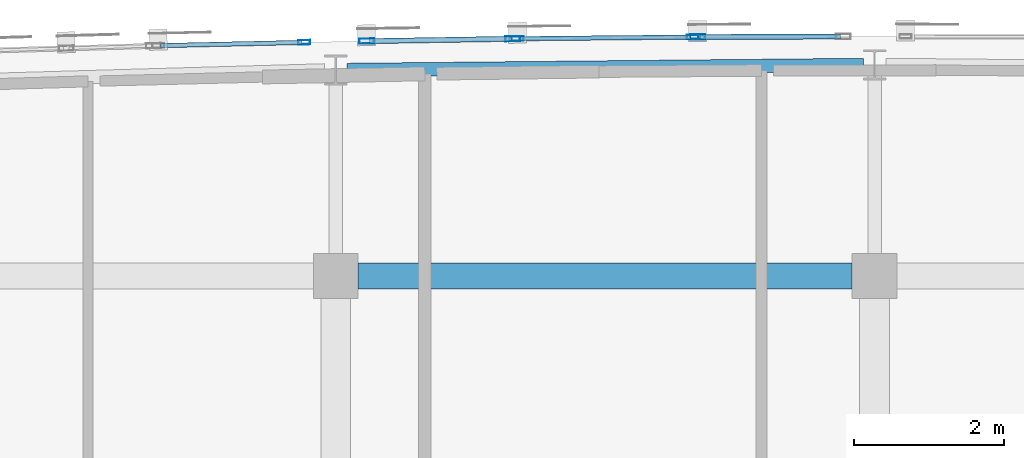
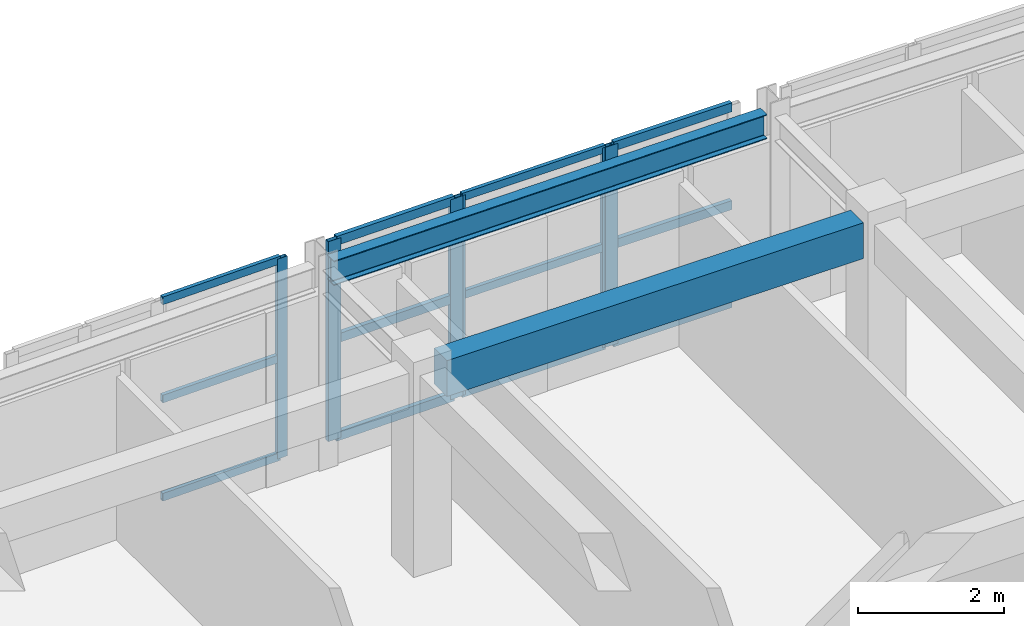
# One storey, part 17 of 50: 18 members, 2 beams, 4 elements without a shape of their own.
"""IFC4 building model written with IfcOpenShell, lengths in metres."""

from ifc_helpers import new_model, si_unit, direction, frame, origin, origin_2d, place, context, subcontext, project, spatial, rectangle, hollow_rectangle, i_section, extrude, material, layer, layer_set, material_profile, profile_set, type_object, element, aggregate, save


model = new_model("IFC4")

# Units and contexts
model_context = context("Model", 3, precision=1e-05, world=origin(), true_north=direction((0.0, 1.0)))
body_context = subcontext(model_context, "Body", "Model", "MODEL_VIEW")
ifc_project = project(units=[si_unit("LENGTHUNIT", "METRE"), si_unit("AREAUNIT", "SQUARE_METRE"), si_unit("VOLUMEUNIT", "CUBIC_METRE"), si_unit("PLANEANGLEUNIT", "RADIAN"), si_unit("MASSUNIT", "GRAM", prefix="KILO")], contexts=[model_context])

# Site, building, storey
site_placement = place(None, origin())
site = spatial("IfcSite", under=ifc_project, at=site_placement, CompositionType="ELEMENT")
building_placement = place(site_placement, origin())
building = spatial("IfcBuilding", under=site, at=building_placement, Name="Carrowvane Square Congress Hotel", CompositionType="ELEMENT")
storey_placement = place(building_placement, frame((0.0, 0.0, 22.800048828125)))
storey = spatial("IfcBuildingStorey", under=building, at=storey_placement, Name="L05", CompositionType="ELEMENT", Elevation=22.800048828125)

# Beams
ifc_material_1 = material(Name="Concrete C35/45", Category="concrete")
ifc_material_profile_1 = material_profile(ifc_material_1, rectangle(XDim=0.35009765625, YDim=0.60009765625, at=origin_2d()), Name="RC 350x600")
ifc_profile_set_1 = profile_set([ifc_material_profile_1], Name="Concrete C35/45")
beam_type_1 = type_object("IfcBeamType", Name="BM-RC-350x600", PredefinedType="BEAM", material=ifc_profile_set_1)
beam_1_placement = place(storey_placement, frame((91.10009765625, 113.39990234375, 3.050048828125), z_axis=(1.0, 0.0, 0.0), x_axis=(0.0, 1.0, 0.0)))
element("IfcBeam", 1, at=beam_1_placement, inside=storey, type_object=beam_type_1, Name="L06 girder R/12-13", PredefinedType="BEAM", context=body_context, shape_type="SweptSolid", body=[
    extrude(rectangle(XDim=0.35009765625, YDim=0.60009765625, at=origin_2d()), origin(), (0.0, 0.0, 1.0), 6.599853515625),
])
ifc_material_2 = material(Name="Steel S355", Category="steel")
ifc_material_profile_2 = material_profile(ifc_material_2, i_section(OverallWidth=0.1787109375, OverallDepth=0.409423828125, WebThickness=0.0087890625, FlangeThickness=0.014404296875, FilletRadius=0.01025390625, at=origin_2d()), Name="UKB 406x178x67")
ifc_profile_set_2 = profile_set([ifc_material_profile_2], Name="Steel S355")
beam_type_2 = type_object("IfcBeamType", Name="BM-ST-UKB406", PredefinedType="BEAM", material=ifc_profile_set_2)
beam_2_placement = place(storey_placement, frame((90.949951171875, 116.1513671875, 3.145263671875), z_axis=(0.999952666563, 0.00972957518, 0.0), x_axis=(-0.00972957518, 0.999952666563, 0.0)))
element("IfcBeam", 2, at=beam_2_placement, inside=storey, type_object=beam_type_2, Name="L06 curved north spandrel", PredefinedType="BEAM", context=body_context, shape_type="SweptSolid", body=[
    extrude(i_section(OverallWidth=0.1787109375, OverallDepth=0.409423828125, WebThickness=0.0087890625, FlangeThickness=0.014404296875, FilletRadius=0.01025390625, at=origin_2d()), origin(), (0.0, 0.0, 1.0), 6.900390625),
])

# Curtain wall, member
ifc_material_3 = material(Name="Anodised aluminium", Category="aluminium")
ifc_layer_1 = layer(ifc_material_3, 0.162109375)
ifc_layer_set_1 = layer_set([ifc_layer_1], Name="Anodised aluminium")
curtain_wall_type_1 = type_object("IfcCurtainWallType", Name="CW-SYS-1", PredefinedType="NOTDEFINED", material=ifc_layer_set_1)
curtain_wall_1_placement = place(storey_placement, origin())
curtain_wall_1 = element("IfcCurtainWall", 3, at=curtain_wall_1_placement, inside=storey, type_object=curtain_wall_type_1, Name="L05 unitised curtain wall 328", PredefinedType="NOTDEFINED")
ifc_material_4 = material(Name="Anodised aluminium", Category="aluminium")
ifc_material_profile_3 = material_profile(ifc_material_4, hollow_rectangle(XDim=0.06005859375, YDim=0.159912109375, WallThickness=0.00390625, at=origin_2d()), Name="CW-ML 60x160x4")
ifc_profile_set_3 = profile_set([ifc_material_profile_3], Name="Anodised aluminium")
member_type_1 = type_object("IfcMemberType", Name="CW-MUL-1", PredefinedType="MULLION", material=ifc_profile_set_3)
member_1_placement = place(storey_placement, frame((90.377685546875, 116.520263671875, 0.0), z_axis=(0.0, 0.0, 1.0), x_axis=(-0.022517686606, 0.99974644475, 0.0)))
member_1 = element("IfcMember", 4, at=member_1_placement, type_object=member_type_1, Name="CW-1 mullion 2", PredefinedType="MULLION", context=body_context, shape_type="SweptSolid", body=[
    extrude(hollow_rectangle(XDim=0.06005859375, YDim=0.159912109375, WallThickness=0.00390625, at=origin_2d()), origin(), (0.0, 0.0, 1.0), 3.349853515625),
])

# Curtain wall, members
ifc_material_5 = material(Name="Anodised aluminium", Category="aluminium")
ifc_layer_2 = layer(ifc_material_5, 0.18603515625)
ifc_layer_set_2 = layer_set([ifc_layer_2], Name="Anodised aluminium")
curtain_wall_type_2 = type_object("IfcCurtainWallType", Name="CW-SYS-3", PredefinedType="NOTDEFINED", material=ifc_layer_set_2)
curtain_wall_2_placement = place(storey_placement, origin())
curtain_wall_2 = element("IfcCurtainWall", 5, at=curtain_wall_2_placement, inside=storey, type_object=curtain_wall_type_2, Name="L05 unitised curtain wall 330", PredefinedType="NOTDEFINED")
member_2_placement = place(storey_placement, frame((93.22998046875, 116.56884765625, 0.0), z_axis=(0.0, 0.0, 1.0), x_axis=(-0.009782905924, 0.999952146231, 0.0)))
member_2 = element("IfcMember", 6, at=member_2_placement, type_object=member_type_1, Name="CW-3 mullion 1", PredefinedType="MULLION", context=body_context, shape_type="SweptSolid", body=[
    extrude(hollow_rectangle(XDim=0.06005859375, YDim=0.159912109375, WallThickness=0.00390625, at=origin_2d()), origin(), (0.0, 0.0, 1.0), 3.349853515625),
])
member_3_placement = place(storey_placement, frame((95.570068359375, 116.591796875, 0.0), z_axis=(0.0, 0.0, 1.0), x_axis=(-0.009782905924, 0.999952146231, 0.0)))
member_3 = element("IfcMember", 7, at=member_3_placement, type_object=member_type_1, Name="CW-3 mullion 2", PredefinedType="MULLION", context=body_context, shape_type="SweptSolid", body=[
    extrude(hollow_rectangle(XDim=0.06005859375, YDim=0.159912109375, WallThickness=0.00390625, at=origin_2d()), origin(), (0.0, 0.0, 1.0), 3.349853515625),
])

ifc_material_6 = material(Name="Anodised aluminium", Category="aluminium")
ifc_layer_3 = layer(ifc_material_6, 0.174072265625)
ifc_layer_set_3 = layer_set([ifc_layer_3], Name="Anodised aluminium")
curtain_wall_type_3 = type_object("IfcCurtainWallType", Name="CW-SYS-2", PredefinedType="NOTDEFINED", material=ifc_layer_set_3)
curtain_wall_3_placement = place(storey_placement, origin())
curtain_wall_3 = element("IfcCurtainWall", 8, at=curtain_wall_3_placement, inside=storey, type_object=curtain_wall_type_3, Name="L05 unitised curtain wall 329", PredefinedType="NOTDEFINED")
ifc_material_7 = material(Name="Anodised aluminium", Category="aluminium")
ifc_material_profile_4 = material_profile(ifc_material_7, hollow_rectangle(XDim=0.070068359375, YDim=0.199951171875, WallThickness=0.0048828125, at=origin_2d()), Name="CW-ML 70x200x5")
ifc_profile_set_4 = profile_set([ifc_material_profile_4], Name="Anodised aluminium")
member_type_2 = type_object("IfcMemberType", Name="CW-MUL-2", PredefinedType="MULLION", material=ifc_profile_set_4)
member_4_placement = place(storey_placement, frame((91.212646484375, 116.536376953125, 0.0), z_axis=(0.0, 0.0, 1.0), x_axis=(-0.016215981364, 0.99986851233, 0.0)))
member_4 = element("IfcMember", 9, at=member_4_placement, type_object=member_type_2, Name="CW-2 mullion 1", PredefinedType="MULLION", context=body_context, shape_type="SweptSolid", body=[
    extrude(hollow_rectangle(XDim=0.070068359375, YDim=0.199951171875, WallThickness=0.0048828125, at=origin_2d()), origin(), (0.0, 0.0, 1.0), 3.349853515625),
])
member_5_placement = place(storey_placement, frame((93.1650390625, 116.568115234375, 0.0), z_axis=(0.0, 0.0, 1.0), x_axis=(-0.016215981364, 0.99986851233, 0.0)))
member_5 = element("IfcMember", 10, at=member_5_placement, type_object=member_type_2, Name="CW-2 mullion 2", PredefinedType="MULLION", context=body_context, shape_type="SweptSolid", body=[
    extrude(hollow_rectangle(XDim=0.070068359375, YDim=0.199951171875, WallThickness=0.0048828125, at=origin_2d()), origin(), (0.0, 0.0, 1.0), 3.349853515625),
])

# Curtain wall, member
ifc_material_8 = material(Name="Anodised aluminium", Category="aluminium")
ifc_layer_4 = layer(ifc_material_8, 0.197998046875)
ifc_layer_set_4 = layer_set([ifc_layer_4], Name="Anodised aluminium")
curtain_wall_type_4 = type_object("IfcCurtainWallType", Name="CW-SYS-4", PredefinedType="NOTDEFINED", material=ifc_layer_set_4)
curtain_wall_4_placement = place(storey_placement, origin())
curtain_wall_4 = element("IfcCurtainWall", 11, at=curtain_wall_4_placement, inside=storey, type_object=curtain_wall_type_4, Name="L05 unitised curtain wall 331", PredefinedType="NOTDEFINED")
member_6_placement = place(storey_placement, frame((95.635009765625, 116.59228515625, 0.0), z_axis=(0.0, 0.0, 1.0), x_axis=(-0.003270307911, 0.999994652529, 0.0)))
member_6 = element("IfcMember", 12, at=member_6_placement, type_object=member_type_2, Name="CW-4 mullion 1", PredefinedType="MULLION", context=body_context, shape_type="SweptSolid", body=[
    extrude(hollow_rectangle(XDim=0.070068359375, YDim=0.199951171875, WallThickness=0.0048828125, at=origin_2d()), origin(), (0.0, 0.0, 1.0), 3.349853515625),
])

# Member
ifc_material_9 = material(Name="Anodised aluminium", Category="aluminium")
ifc_material_profile_5 = material_profile(ifc_material_9, hollow_rectangle(XDim=0.06005859375, YDim=0.1298828125, WallThickness=0.00390625, at=origin_2d()), Name="CW-TR 60x130x4")
ifc_profile_set_5 = profile_set([ifc_material_profile_5], Name="Anodised aluminium")
member_type_3 = type_object("IfcMemberType", Name="CW-TRN-1", PredefinedType="USERDEFINED", material=ifc_profile_set_5)
member_7_placement = place(storey_placement, frame((88.4599609375, 116.47705078125, 0.030029296875), z_axis=(0.999746883827, 0.022498183883, 0.0), x_axis=(-0.022498183883, 0.999746883827, 0.0)))
member_7 = element("IfcMember", 13, at=member_7_placement, type_object=member_type_3, Name="CW-1 transom 1.1", ObjectType="TRANSOM", PredefinedType="USERDEFINED", context=body_context, shape_type="SweptSolid", body=[
    extrude(hollow_rectangle(XDim=0.06005859375, YDim=0.1298828125, WallThickness=0.00390625, at=origin_2d()), origin(), (0.0, 0.0, 1.0), 1.88818359375),
])

member_8_placement = place(storey_placement, frame((88.4599609375, 116.47705078125, 1.675048828125), z_axis=(0.999746883827, 0.022498183883, 0.0), x_axis=(-0.022498183883, 0.999746883827, 0.0)))
member_8 = element("IfcMember", 14, at=member_8_placement, type_object=member_type_3, Name="CW-1 transom 1.2", ObjectType="TRANSOM", PredefinedType="USERDEFINED", context=body_context, shape_type="SweptSolid", body=[
    extrude(hollow_rectangle(XDim=0.06005859375, YDim=0.1298828125, WallThickness=0.00390625, at=origin_2d()), origin(), (0.0, 0.0, 1.0), 1.88818359375),
])

member_9_placement = place(storey_placement, frame((88.4599609375, 116.47705078125, 3.320068359375), z_axis=(0.999746883827, 0.022498183883, 0.0), x_axis=(-0.022498183883, 0.999746883827, 0.0)))
member_9 = element("IfcMember", 15, at=member_9_placement, type_object=member_type_3, Name="CW-1 transom 1.3", ObjectType="TRANSOM", PredefinedType="USERDEFINED", context=body_context, shape_type="SweptSolid", body=[
    extrude(hollow_rectangle(XDim=0.06005859375, YDim=0.1298828125, WallThickness=0.00390625, at=origin_2d()), origin(), (0.0, 0.0, 1.0), 1.88818359375),
])

aggregate(curtain_wall_1, [member_1, member_7, member_8, member_9])

member_10_placement = place(storey_placement, frame((93.260009765625, 116.5693359375, 0.030029296875), z_axis=(0.999952529794, 0.009743621395, 0.0), x_axis=(-0.009743621395, 0.999952529794, 0.0)))
member_10 = element("IfcMember", 16, at=member_10_placement, type_object=member_type_3, Name="CW-3 transom 1.1", ObjectType="TRANSOM", PredefinedType="USERDEFINED", context=body_context, shape_type="SweptSolid", body=[
    extrude(hollow_rectangle(XDim=0.06005859375, YDim=0.1298828125, WallThickness=0.00390625, at=origin_2d()), origin(), (0.0, 0.0, 1.0), 2.280029296875),
])

member_11_placement = place(storey_placement, frame((93.260009765625, 116.5693359375, 1.675048828125), z_axis=(0.999952529794, 0.009743621395, 0.0), x_axis=(-0.009743621395, 0.999952529794, 0.0)))
member_11 = element("IfcMember", 17, at=member_11_placement, type_object=member_type_3, Name="CW-3 transom 1.2", ObjectType="TRANSOM", PredefinedType="USERDEFINED", context=body_context, shape_type="SweptSolid", body=[
    extrude(hollow_rectangle(XDim=0.06005859375, YDim=0.1298828125, WallThickness=0.00390625, at=origin_2d()), origin(), (0.0, 0.0, 1.0), 2.280029296875),
])

member_12_placement = place(storey_placement, frame((93.260009765625, 116.5693359375, 3.320068359375), z_axis=(0.999952529794, 0.009743621395, 0.0), x_axis=(-0.009743621395, 0.999952529794, 0.0)))
member_12 = element("IfcMember", 18, at=member_12_placement, type_object=member_type_3, Name="CW-3 transom 1.3", ObjectType="TRANSOM", PredefinedType="USERDEFINED", context=body_context, shape_type="SweptSolid", body=[
    extrude(hollow_rectangle(XDim=0.06005859375, YDim=0.1298828125, WallThickness=0.00390625, at=origin_2d()), origin(), (0.0, 0.0, 1.0), 2.280029296875),
])

aggregate(curtain_wall_2, [member_2, member_3, member_10, member_11, member_12])

ifc_material_10 = material(Name="Anodised aluminium", Category="aluminium")
ifc_material_profile_6 = material_profile(ifc_material_10, hollow_rectangle(XDim=0.070068359375, YDim=0.14990234375, WallThickness=0.0048828125, at=origin_2d()), Name="CW-TR 70x150x5")
ifc_profile_set_6 = profile_set([ifc_material_profile_6], Name="Anodised aluminium")
member_type_4 = type_object("IfcMemberType", Name="CW-TRN-2", PredefinedType="USERDEFINED", material=ifc_profile_set_6)
member_13_placement = place(storey_placement, frame((91.24755859375, 116.537109375, 0.034912109375), z_axis=(0.999868599908, 0.016210580414, 0.0), x_axis=(-0.016210580414, 0.999868599908, 0.0)))
member_13 = element("IfcMember", 19, at=member_13_placement, type_object=member_type_4, Name="CW-2 transom 1.1", ObjectType="TRANSOM", PredefinedType="USERDEFINED", context=body_context, shape_type="SweptSolid", body=[
    extrude(hollow_rectangle(XDim=0.070068359375, YDim=0.14990234375, WallThickness=0.0048828125, at=origin_2d()), origin(), (0.0, 0.0, 1.0), 1.882568359375),
])

member_14_placement = place(storey_placement, frame((91.24755859375, 116.537109375, 1.675048828125), z_axis=(0.999868599908, 0.016210580414, 0.0), x_axis=(-0.016210580414, 0.999868599908, 0.0)))
member_14 = element("IfcMember", 20, at=member_14_placement, type_object=member_type_4, Name="CW-2 transom 1.2", ObjectType="TRANSOM", PredefinedType="USERDEFINED", context=body_context, shape_type="SweptSolid", body=[
    extrude(hollow_rectangle(XDim=0.070068359375, YDim=0.14990234375, WallThickness=0.0048828125, at=origin_2d()), origin(), (0.0, 0.0, 1.0), 1.882568359375),
])

member_15_placement = place(storey_placement, frame((91.24755859375, 116.537109375, 3.31494140625), z_axis=(0.999868599908, 0.016210580414, 0.0), x_axis=(-0.016210580414, 0.999868599908, 0.0)))
member_15 = element("IfcMember", 21, at=member_15_placement, type_object=member_type_4, Name="CW-2 transom 1.3", ObjectType="TRANSOM", PredefinedType="USERDEFINED", context=body_context, shape_type="SweptSolid", body=[
    extrude(hollow_rectangle(XDim=0.070068359375, YDim=0.14990234375, WallThickness=0.0048828125, at=origin_2d()), origin(), (0.0, 0.0, 1.0), 1.882568359375),
])

aggregate(curtain_wall_3, [member_4, member_5, member_13, member_14, member_15])

member_16_placement = place(storey_placement, frame((95.669921875, 116.59228515625, 0.034912109375), z_axis=(0.999994271018, 0.003384956522, 0.0), x_axis=(-0.003384956522, 0.999994271018, 0.0)))
member_16 = element("IfcMember", 22, at=member_16_placement, type_object=member_type_4, Name="CW-4 transom 1.1", ObjectType="TRANSOM", PredefinedType="USERDEFINED", context=body_context, shape_type="SweptSolid", body=[
    extrude(hollow_rectangle(XDim=0.070068359375, YDim=0.14990234375, WallThickness=0.0048828125, at=origin_2d()), origin(), (0.0, 0.0, 1.0), 1.875244140625),
])

member_17_placement = place(storey_placement, frame((95.669921875, 116.59228515625, 1.675048828125), z_axis=(0.999994271018, 0.003384956522, 0.0), x_axis=(-0.003384956522, 0.999994271018, 0.0)))
member_17 = element("IfcMember", 23, at=member_17_placement, type_object=member_type_4, Name="CW-4 transom 1.2", ObjectType="TRANSOM", PredefinedType="USERDEFINED", context=body_context, shape_type="SweptSolid", body=[
    extrude(hollow_rectangle(XDim=0.070068359375, YDim=0.14990234375, WallThickness=0.0048828125, at=origin_2d()), origin(), (0.0, 0.0, 1.0), 1.875244140625),
])

member_18_placement = place(storey_placement, frame((95.669921875, 116.59228515625, 3.31494140625), z_axis=(0.999994271018, 0.003384956522, 0.0), x_axis=(-0.003384956522, 0.999994271018, 0.0)))
member_18 = element("IfcMember", 24, at=member_18_placement, type_object=member_type_4, Name="CW-4 transom 1.3", ObjectType="TRANSOM", PredefinedType="USERDEFINED", context=body_context, shape_type="SweptSolid", body=[
    extrude(hollow_rectangle(XDim=0.070068359375, YDim=0.14990234375, WallThickness=0.0048828125, at=origin_2d()), origin(), (0.0, 0.0, 1.0), 1.875244140625),
])

aggregate(curtain_wall_4, [member_6, member_16, member_17, member_18])

save(model, "model.ifc")
